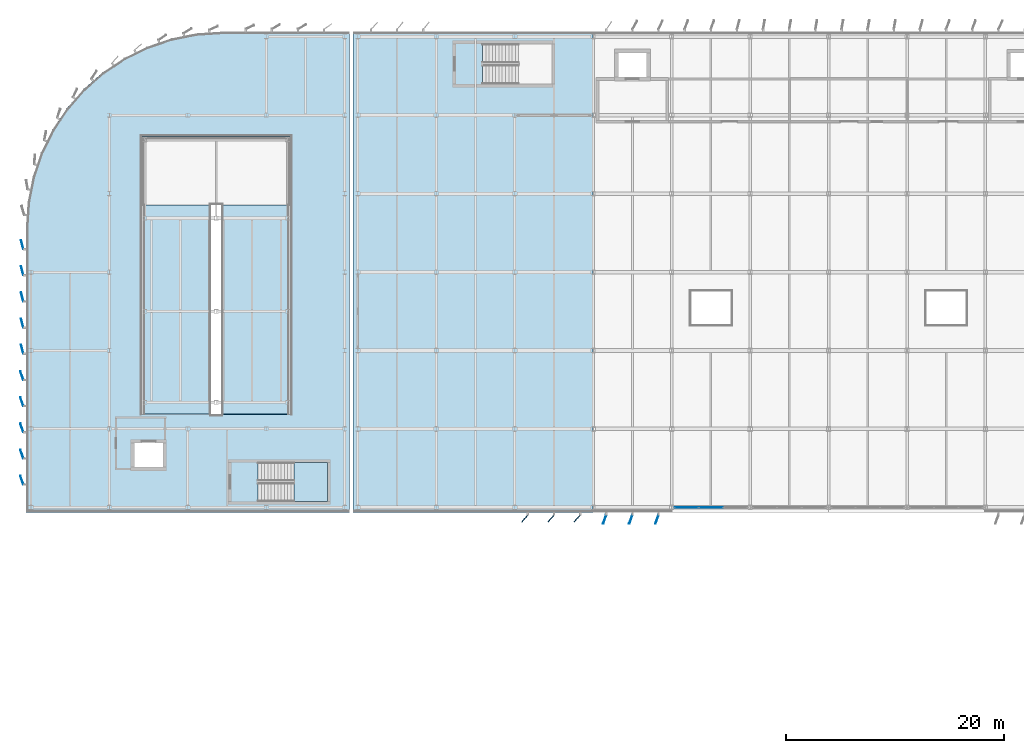
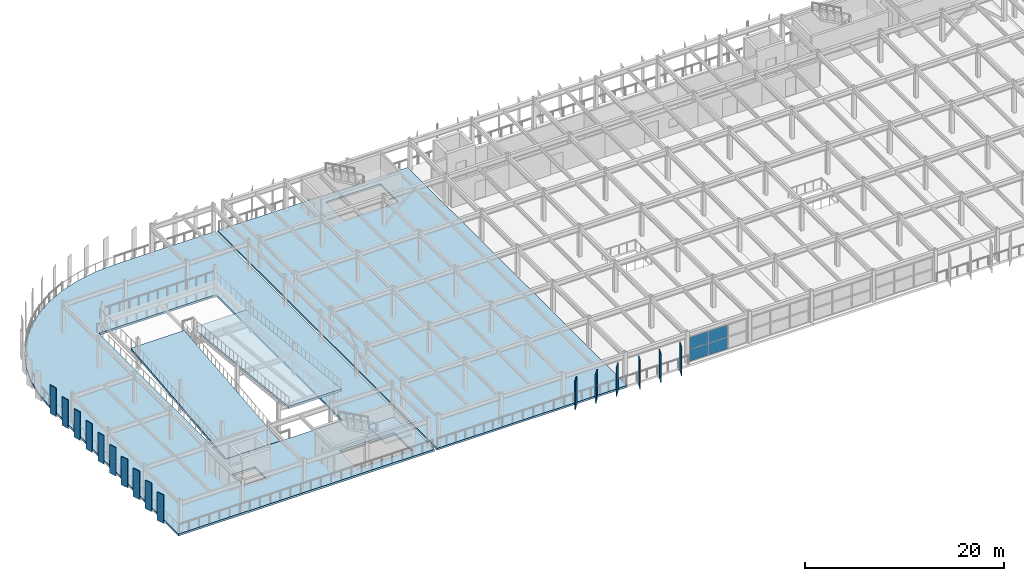
# One storey, part 38 of 80: 20 plates, 5 slabs, 2 elements without a shape of their own.
"""IFC4 building model written with IfcOpenShell, lengths in metres."""

from ifc_helpers import new_model, si_unit, direction, frame, origin, origin_2d, place, context, subcontext, project, spatial, polyline, rectangle, outline, extrude, material, layer, layer_set, type_object, element, aggregate, save


model = new_model("IFC4")

# Units and contexts
model_context = context("Model", 3, precision=1e-05, world=origin(), true_north=direction((0.0, 1.0)))
body_context = subcontext(model_context, "Body", "Model", "MODEL_VIEW")
ifc_project = project(units=[si_unit("LENGTHUNIT", "METRE"), si_unit("AREAUNIT", "SQUARE_METRE"), si_unit("VOLUMEUNIT", "CUBIC_METRE"), si_unit("PLANEANGLEUNIT", "RADIAN"), si_unit("MASSUNIT", "GRAM", prefix="KILO")], contexts=[model_context])

# Site, building, storey
site_placement = place(None, origin())
site = spatial("IfcSite", under=ifc_project, at=site_placement, CompositionType="ELEMENT")
building_placement = place(site_placement, origin())
building = spatial("IfcBuilding", under=site, at=building_placement, Name="Vaelcorin Mobility Hub", CompositionType="ELEMENT")
storey_placement = place(building_placement, frame((0.0, 0.0, 9.300048828125)))
storey = spatial("IfcBuildingStorey", under=building, at=storey_placement, Name="L02", CompositionType="ELEMENT", Elevation=9.300048828125)

# Curtain wall, plates
ifc_material_1 = material(Name="Anodised aluminium 6063-T6", Category="aluminium")
curtain_wall_type = type_object("IfcCurtainWallType", Name="CW-MOB-A", PredefinedType="NOTDEFINED", material=ifc_material_1)
curtain_wall_placement = place(storey_placement, origin())
curtain_wall = element("IfcCurtainWall", 1, at=curtain_wall_placement, inside=storey, type_object=curtain_wall_type, Name="L02 Curtain Wall CW-V4-L02-S-05", PredefinedType="NOTDEFINED")
ifc_material_2 = material(Name="Low-E solar-control insulated glazing", Category="glass")
ifc_layer_1 = layer(ifc_material_2, 0.028076171875)
ifc_layer_set_1 = layer_set([ifc_layer_1], Name="Low-E solar-control insulated glazing")
plate_type_1 = type_object("IfcPlateType", Name="CW-PAN-GLZ28", PredefinedType="CURTAIN_PANEL", material=ifc_layer_set_1)
plate_1_placement = place(storey_placement, frame((68.39990234375, 76.800048828125, 0.06005859375), z_axis=(0.0, 0.0, 1.0), x_axis=(-1.0, 0.0, 0.0)))
plate_1 = element("IfcPlate", 2, at=plate_1_placement, type_object=plate_type_1, Name="CW7 panel 2.1", PredefinedType="CURTAIN_PANEL", context=body_context, shape_type="SweptSolid", body=[
    extrude(rectangle(XDim=2.193359375, YDim=0.028076171875, at=origin_2d()), origin(), (0.0, 0.0, 1.0), 1.44189453125),
])
plate_2_placement = place(storey_placement, frame((68.39990234375, 76.800048828125, 1.56201171875), z_axis=(0.0, 0.0, 1.0), x_axis=(-1.0, 0.0, 0.0)))
plate_2 = element("IfcPlate", 3, at=plate_2_placement, type_object=plate_type_1, Name="CW7 panel 2.2", PredefinedType="CURTAIN_PANEL", context=body_context, shape_type="SweptSolid", body=[
    extrude(rectangle(XDim=2.193359375, YDim=0.028076171875, at=origin_2d()), origin(), (0.0, 0.0, 1.0), 1.44091796875),
])
plate_3_placement = place(storey_placement, frame((66.16162109375, 76.800048828125, 0.06005859375), z_axis=(0.0, 0.0, 1.0), x_axis=(-1.0, 0.0, 0.0)))
plate_3 = element("IfcPlate", 4, at=plate_3_placement, type_object=plate_type_1, Name="CW7 panel 3.1", PredefinedType="CURTAIN_PANEL", context=body_context, shape_type="SweptSolid", body=[
    extrude(rectangle(XDim=2.163330078125, YDim=0.028076171875, at=origin_2d()), origin(), (0.0, 0.0, 1.0), 1.44189453125),
])
plate_4_placement = place(storey_placement, frame((66.16162109375, 76.800048828125, 1.56201171875), z_axis=(0.0, 0.0, 1.0), x_axis=(-1.0, 0.0, 0.0)))
plate_4 = element("IfcPlate", 5, at=plate_4_placement, type_object=plate_type_1, Name="CW7 panel 3.2", PredefinedType="CURTAIN_PANEL", context=body_context, shape_type="SweptSolid", body=[
    extrude(rectangle(XDim=2.163330078125, YDim=0.028076171875, at=origin_2d()), origin(), (0.0, 0.0, 1.0), 1.44091796875),
])
aggregate(curtain_wall, [plate_1, plate_2, plate_3, plate_4])

# Plates
ifc_material_3 = material(Name="Perforated terracotta-bronze aluminium aerofoil", Category="masonry")
ifc_layer_2 = layer(ifc_material_3, 0.06005859375)
ifc_layer_set_2 = layer_set([ifc_layer_2], Name="Perforated terracotta-bronze aluminium aerofoil")
plate_type_2 = type_object("IfcPlateType", Name="PL-FIN-AF1", PredefinedType="SHEET", material=ifc_layer_set_2)
for number, where, z_axis, x_axis, name in (
    (6, (5.1650390625, 79.299072265625, -0.16015625), (0.0, 0.0, 1.0), (-0.342020143326, 0.939692620786, 0.0), "Rotating Terracotta-Bronze Aerofoil Fin FIN-V2W-L02-W-AF-01"),
    (7, (5.1650390625, 81.698974609375, -0.16015625), (0.0, 0.0, 1.0), (-0.342020143326, 0.939692620786, 0.0), "Rotating Terracotta-Bronze Aerofoil Fin FIN-V2W-L02-W-AF-02"),
    (8, (5.1650390625, 84.09912109375, -0.16015625), (0.0, 0.0, 1.0), (-0.342020143326, 0.939692620786, 0.0), "Rotating Terracotta-Bronze Aerofoil Fin FIN-V2W-L02-W-AF-03"),
    (9, (5.1650390625, 86.4990234375, -0.16015625), (0.0, 0.0, 1.0), (-0.342020143326, 0.939692620786, 0.0), "Rotating Terracotta-Bronze Aerofoil Fin FIN-V2W-L02-W-AF-04"),
    (10, (5.1650390625, 88.89892578125, -0.16015625), (0.0, 0.0, 1.0), (-0.342020143326, 0.939692620786, 0.0), "Rotating Terracotta-Bronze Aerofoil Fin FIN-V2W-L02-W-AF-05"),
    (11, (5.199951171875, 91.31103515625, -0.16015625), (0.0, 0.0, 1.0), (-0.258819045103, 0.965925826289, 0.0), "Rotating Terracotta-Bronze Aerofoil Fin FIN-V2W-L02-W-AF-06"),
    (12, (5.199951171875, 93.7109375, -0.16015625), (0.0, 0.0, 1.0), (-0.258819045103, 0.965925826289, 0.0), "Rotating Terracotta-Bronze Aerofoil Fin FIN-V2W-L02-W-AF-07"),
    (13, (5.199951171875, 96.111083984375, -0.16015625), (0.0, 0.0, 1.0), (-0.258819045103, 0.965925826289, 0.0), "Rotating Terracotta-Bronze Aerofoil Fin FIN-V2W-L02-W-AF-08"),
    (14, (5.199951171875, 98.510986328125, -0.16015625), (0.0, 0.0, 1.0), (-0.258819045103, 0.965925826289, 0.0), "Rotating Terracotta-Bronze Aerofoil Fin FIN-V2W-L02-W-AF-09"),
    (15, (5.199951171875, 100.910888671875, -0.16015625), (0.0, 0.0, 1.0), (-0.258819045103, 0.965925826289, 0.0), "Rotating Terracotta-Bronze Aerofoil Fin FIN-V2W-L02-W-AF-10"),
):
    element("IfcPlate", number, at=place(storey_placement, frame(where, z_axis=z_axis, x_axis=x_axis)), inside=storey, type_object=plate_type_2, Name=name, PredefinedType="SHEET", context=body_context, shape_type="SweptSolid", body=[
        extrude(rectangle(XDim=0.85009765625, YDim=0.06005859375, at=origin_2d()), origin(), (0.0, 0.0, 1.0), 3.5),
    ])
ifc_layer_3 = layer(ifc_material_3, 0.070068359375)
ifc_layer_set_3 = layer_set([ifc_layer_3], Name="Perforated terracotta-bronze aluminium aerofoil")
plate_type_3 = type_object("IfcPlateType", Name="PL-FIN-AF3", PredefinedType="SHEET", material=ifc_layer_set_3)
for number, where, z_axis, x_axis, name in (
    (16, (56.126953125, 75.783935546875, -0.16015625), (0.0, 0.0, 1.0), (-0.642787609687, -0.766044443119, 0.0), "Rotating Terracotta-Bronze Aerofoil Fin FIN-V4-L02-S-03-AF-01"),
    (17, (53.72705078125, 75.783935546875, -0.16015625), (0.0, 0.0, 1.0), (-0.642787609687, -0.766044443119, 0.0), "Rotating Terracotta-Bronze Aerofoil Fin FIN-V4-L02-S-03-AF-02"),
    (18, (51.326904296875, 75.783935546875, -0.16015625), (0.0, 0.0, 1.0), (-0.642787609687, -0.766044443119, 0.0), "Rotating Terracotta-Bronze Aerofoil Fin FIN-V4-L02-S-03-AF-03"),
    (19, (63.455078125, 75.7109375, -0.16015625), (0.0, 0.0, 1.0), (-0.342020143326, -0.939692620786, 0.0), "Rotating Terracotta-Bronze Aerofoil Fin FIN-V4-L02-S-04-AF-01"),
    (20, (61.054931640625, 75.7109375, -0.16015625), (0.0, 0.0, 1.0), (-0.342020143326, -0.939692620786, 0.0), "Rotating Terracotta-Bronze Aerofoil Fin FIN-V4-L02-S-04-AF-02"),
    (21, (58.655029296875, 75.7109375, -0.16015625), (0.0, 0.0, 1.0), (-0.342020143326, -0.939692620786, 0.0), "Rotating Terracotta-Bronze Aerofoil Fin FIN-V4-L02-S-04-AF-03"),
):
    element("IfcPlate", number, at=place(storey_placement, frame(where, z_axis=z_axis, x_axis=x_axis)), inside=storey, type_object=plate_type_3, Name=name, PredefinedType="SHEET", context=body_context, shape_type="SweptSolid", body=[
        extrude(rectangle(XDim=0.85009765625, YDim=0.070068359375, at=origin_2d()), origin(), (0.0, 0.0, 1.0), 3.5),
    ])

# Stair, slab
ifc_material_4 = material(Name="Reinforced concrete f'c 45 MPa", Category="concrete")
stair_type = type_object("IfcStairType", Name="STAIR-ST1", PredefinedType="HALF_TURN_STAIR", material=ifc_material_4)
stair_placement = place(storey_placement, origin())
stair = element("IfcStair", 22, at=stair_placement, inside=storey, type_object=stair_type, Name="L02 Protected Exit Stair ST1", PredefinedType="HALF_TURN_STAIR")
ifc_layer_4 = layer(ifc_material_4, 0.199951171875)
ifc_layer_set_4 = layer_set([ifc_layer_4], Name="Reinforced concrete f'c 45 MPa")
slab_type_1 = type_object("IfcSlabType", Name="SLAB-LND-200", PredefinedType="LANDING", material=ifc_layer_set_4)
slab_1_placement = place(storey_placement, frame((0.0, 0.0, 1.75)))
slab_1 = element("IfcSlab", 23, at=slab_1_placement, type_object=slab_type_1, Name="ST1 landing 1", PredefinedType="LANDING", context=body_context, shape_type="SweptSolid", body=[
    extrude(outline(polyline([(30.14990234375, 77.35009765625), (33.199951171875, 77.35009765625), (33.199951171875, 80.909912109375), (30.14990234375, 80.909912109375), (30.14990234375, 77.35009765625)])), origin(), (0.0, 0.0, 1.0), 0.199951171875),
])
aggregate(stair, [slab_1])

# Slabs
ifc_material_5 = material(Name="Concrete f'c 35 MPa", Category="concrete")
ifc_layer_5 = layer(ifc_material_5, 0.22998046875)
ifc_layer_set_5 = layer_set([ifc_layer_5], Name="Concrete f'c 35 MPa")
slab_type_2 = type_object("IfcSlabType", Name="SLAB-PK3", PredefinedType="FLOOR", material=ifc_layer_set_5)
slab_2_placement = place(storey_placement, frame((0.0, 0.0, -0.22998046875)))
element("IfcSlab", 24, at=slab_2_placement, inside=storey, type_object=slab_type_2, Name="L02 EV Mobility Deck SL-V4-L02-Q1", PredefinedType="FLOOR", context=body_context, shape_type="SweptSolid", body=[
    extrude(outline(polyline([(35.550048828125, 120.449951171875), (57.60009765625, 120.449951171875), (57.60009765625, 76.35009765625), (35.550048828125, 76.35009765625), (35.550048828125, 120.449951171875)]), holes=[polyline([(53.800048828125, 119.330078125), (47.455078125, 119.330078125), (47.455078125, 115.64990234375), (53.800048828125, 115.64990234375), (53.800048828125, 119.330078125)])]), origin(), (0.0, 0.0, 1.0), 0.22998046875),
])
ifc_layer_6 = layer(ifc_material_5, 0.25)
ifc_layer_set_6 = layer_set([ifc_layer_6], Name="Concrete f'c 35 MPa")
slab_type_3 = type_object("IfcSlabType", Name="SLAB-RMP", PredefinedType="FLOOR", material=ifc_layer_set_6)
slab_3_placement = place(storey_placement, frame((0.0, 0.0, -0.25)))
element("IfcSlab", 25, at=slab_3_placement, inside=storey, type_object=slab_type_3, Name="L02 V2W Ramp Transition Deck SL-V2W-L02", PredefinedType="FLOOR", context=body_context, shape_type="SweptSolid", body=[
    extrude(outline(polyline([(5.550048828125, 102.449951171875), (5.7041015625, 104.799072265625), (6.1630859375, 107.10888671875), (6.919921875, 109.337890625), (7.9619140625, 111.449951171875), (9.27001953125, 113.407958984375), (10.822021484375, 115.177978515625), (12.592041015625, 116.72998046875), (14.550048828125, 118.0380859375), (16.662109375, 119.080078125), (18.89111328125, 119.8369140625), (21.200927734375, 120.2958984375), (23.550048828125, 120.449951171875), (35.25, 120.449951171875), (35.25, 76.35009765625), (5.550048828125, 76.35009765625), (5.550048828125, 102.449951171875)]), holes=[polyline([(26.85498046875, 80.909912109375), (26.85498046875, 77.35009765625), (33.199951171875, 77.35009765625), (33.199951171875, 80.909912109375), (26.85498046875, 80.909912109375)]), polyline([(18.10009765625, 82.699951171875), (15.5, 82.699951171875), (15.5, 80.5), (18.10009765625, 80.5), (18.10009765625, 82.699951171875)]), polyline([(29.800048828125, 110.800048828125), (16.199951171875, 110.800048828125), (16.199951171875, 85.340087890625), (29.800048828125, 85.340087890625), (29.800048828125, 110.800048828125)])]), origin(), (0.0, 0.0, 1.0), 0.25),
])
ifc_layer_7 = layer(ifc_material_5, 0.280029296875)
ifc_layer_set_7 = layer_set([ifc_layer_7], Name="Concrete f'c 35 MPa")
slab_type_4 = type_object("IfcSlabType", Name="SLAB-RMP-VR1", PredefinedType="FLOOR", material=ifc_layer_set_7)
for number, where, z_axis, x_axis, name in (
    (26, (16.300048828125, 85.360107421875, 0.0), (0.0, -0.101144847313, 0.994871710253), (1.0, 0.0, 0.0), "Vehicle Ramp VR-1 Slab L02 Flight 1"),
    (27, (23.5, 85.360107421875, 3.89990234375), (0.0, 0.101144847313, 0.994871710253), (1.0, 0.0, 0.0), "Vehicle Ramp VR-1 Slab L02 Flight 2"),
):
    element("IfcSlab", number, at=place(storey_placement, frame(where, z_axis=z_axis, x_axis=x_axis)), inside=storey, type_object=slab_type_4, Name=name, PredefinedType="FLOOR", context=body_context, shape_type="SweptSolid", body=[
        extrude(outline(polyline([(0.0, 0.0), (6.199951171875, 0.0), (6.199951171875, 19.27879890739422), (0.0, 19.27879890739422), (0.0, 0.0)])), origin(), (0.0, 0.0, -1.0), 0.280029296875),
    ])

save(model, "model.ifc")
